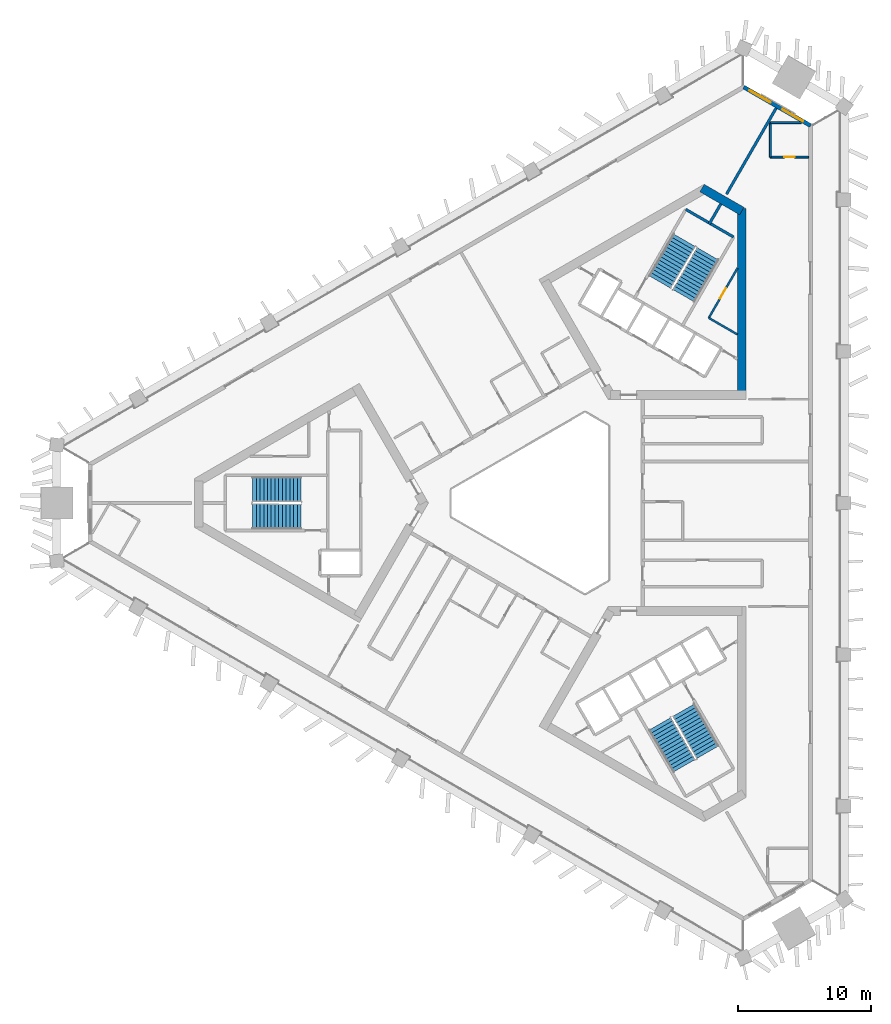
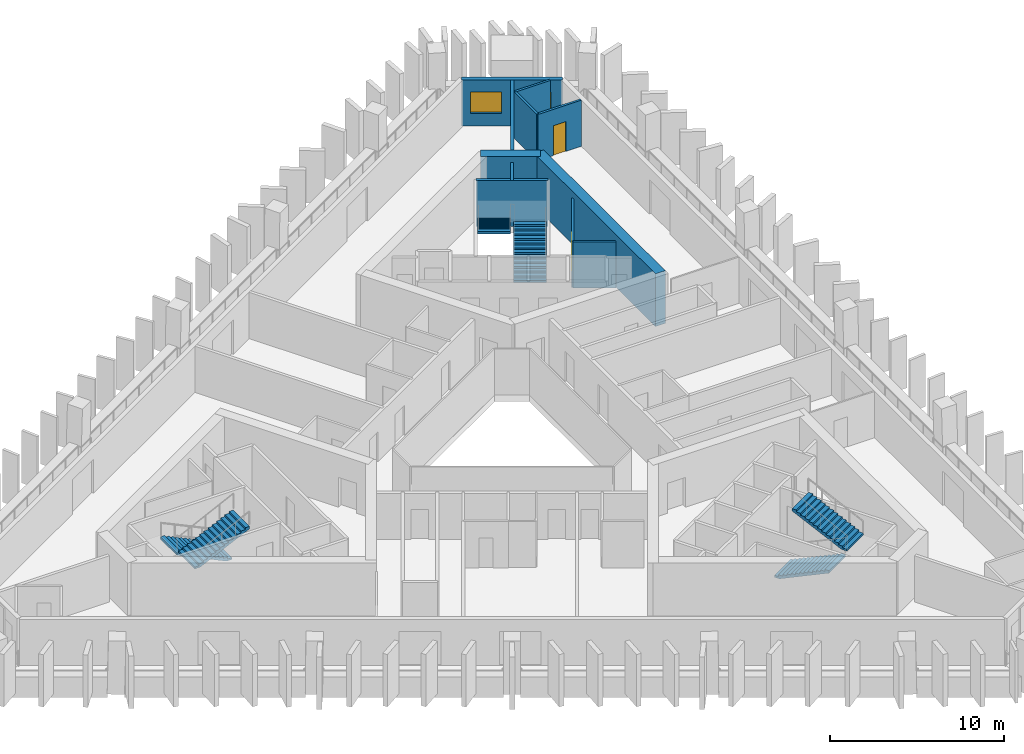
# One storey, part 6 of 10: 11 walls, 6 stair flights, 2 doors, 2 windows, 4 openings, 3 elements without a shape of their own.
"""IFC4 building model written with IfcOpenShell, lengths in metres."""

from ifc_helpers import new_model, si_unit, direction, frame, frame_2d, origin, place, context, subcontext, project, spatial, polyline, rectangle, outline, extrude, material, layer, layer_set, type_object, element, fill, aggregate, save


model = new_model("IFC4")

# Units and contexts
model_context = context("Model", 3, precision=1e-05, world=origin(), true_north=direction((0.0, 1.0)))
body_context = subcontext(model_context, "Body", "Model", "MODEL_VIEW")
ifc_project = project(units=[si_unit("LENGTHUNIT", "METRE"), si_unit("AREAUNIT", "SQUARE_METRE"), si_unit("VOLUMEUNIT", "CUBIC_METRE"), si_unit("PLANEANGLEUNIT", "RADIAN"), si_unit("MASSUNIT", "GRAM", prefix="KILO")], contexts=[model_context])

# Site, building, storey
site_placement = place(None, origin())
site = spatial("IfcSite", under=ifc_project, at=site_placement, CompositionType="ELEMENT")
building_placement = place(site_placement, origin())
building = spatial("IfcBuilding", under=site, at=building_placement, Name="Jabali Bay Hotel Tower and Convention Centre", CompositionType="ELEMENT")
storey_placement = place(building_placement, frame((0.0, 0.0, 117.89990234375)))
storey = spatial("IfcBuildingStorey", under=building, at=storey_placement, Name="L28", CompositionType="ELEMENT", Elevation=117.89990234375)

# Wall
ifc_material_1 = material(Name="Concrete C40", Category="concrete")
ifc_layer_1 = layer(ifc_material_1, 0.199951171875)
ifc_layer_set_1 = layer_set([ifc_layer_1], Name="Concrete C40")
wall_type_1 = type_object("IfcWallType", Name="Core partition wall 200", PredefinedType="PARTITIONING", material=ifc_layer_set_1)
wall_1_placement = place(storey_placement, frame((87.090087890625, 100.9404296875, 0.0), z_axis=(0.0, 0.0, 1.0), x_axis=(0.499944938281, 0.866057191349, 0.0)))
element("IfcWall", 1, at=wall_1_placement, inside=storey, type_object=wall_type_1, Name="Core wall 1.5 L28", PredefinedType="PARTITIONING", context=body_context, shape_type="SweptSolid", body=[
    extrude(rectangle(XDim=1.773193359375, YDim=0.199951171875, at=frame_2d((0.88671875, 0.0))), origin(), (0.0, 0.0, 1.0), 3.25),
])

# Wall, opening, door
ifc_material_2 = material(Name="Fire-rated board partition")
ifc_layer_2 = layer(ifc_material_2, 0.14990234375)
ifc_layer_set_2 = layer_set([ifc_layer_2], Name="Fire-rated board partition")
wall_type_2 = type_object("IfcWallType", Name="Core room partition 150", PredefinedType="PARTITIONING", material=ifc_layer_set_2)
wall_2_placement = place(storey_placement, frame((87.071044921875, 93.90771484375, 0.0), z_axis=(0.0, 0.0, 1.0), x_axis=(0.500012861172, 0.866017978256, 0.0)))
wall_2 = element("IfcWall", 2, at=wall_2_placement, inside=storey, type_object=wall_type_2, Name="Core wall 1.1 L28", PredefinedType="PARTITIONING", context=body_context, shape_type="SweptSolid", body=[
    extrude(rectangle(XDim=4.31787109375, YDim=0.14990234375, at=frame_2d((2.158935546875, 0.0))), origin(), (0.0, 0.0, 1.0), 3.25),
])
opening_1_placement = place(wall_2_placement, frame((1.681396484375, 0.0, 0.0)))
opening_1 = element("IfcOpeningElement", 3, at=opening_1_placement, cuts=wall_2, Name="Opening D633", PredefinedType="OPENING", context=body_context, shape_type="SweptSolid", body=[
    extrude(rectangle(XDim=0.89990234375, YDim=2.10009765625, at=frame_2d((0.449951171875, 1.050048828125))), frame((0.0, 0.08544921875, 0.0), z_axis=(0.0, -1.0, 0.0), x_axis=(1.0, 0.0, 0.0)), (0.0, 0.0, 1.0), 0.1708984375),
])
ifc_material_3 = material(Name="Fire-rated steel door", Category="steel")
door_type_1 = type_object("IfcDoorType", Name="Core room door 900 x 2100", OperationType="NOTDEFINED", PredefinedType="NOTDEFINED", material=ifc_material_3)
door_1_placement = place(opening_1_placement, origin())
door_1 = element("IfcDoor", 4, at=door_1_placement, inside=storey, type_object=door_type_1, Name="Core room door D633", OperationType="SINGLE_SWING_LEFT", OverallHeight=2.10009765625, OverallWidth=0.89990234375, PredefinedType="NOTDEFINED", context=body_context, shape_type="SweptSolid", body=[
    extrude(rectangle(XDim=0.89990234375, YDim=2.10009765625, at=frame_2d((0.449951171875, 1.050048828125))), frame((0.0, 0.02490234375, 0.0), z_axis=(0.0, -1.0, 0.0), x_axis=(1.0, 0.0, 0.0)), (0.0, 0.0, 1.0), 0.050048828125),
])
fill(opening_1, door_1)

# Walls
wall_3_placement = place(storey_placement, frame((89.22998046875, 92.661376953125, 0.0), z_axis=(0.0, 0.0, 1.0), x_axis=(-0.866046964233, 0.499962654349, 0.0)))
element("IfcWall", 5, at=wall_3_placement, inside=storey, type_object=wall_type_2, Name="Core wall 1.15 L28", PredefinedType="PARTITIONING", context=body_context, shape_type="SweptSolid", body=[
    extrude(rectangle(XDim=2.492919921875, YDim=0.14990234375, at=frame_2d((1.24658203125, 0.0))), origin(), (0.0, 0.0, 1.0), 3.25),
])
ifc_layer_3 = layer(ifc_material_1, 0.199951171875)
ifc_layer_set_3 = layer_set([ifc_layer_3], Name="Concrete C40")
wall_type_3 = type_object("IfcWallType", Name="Core stair wall 200", PredefinedType="SOLIDWALL", material=ifc_layer_set_3)
wall_4_placement = place(storey_placement, frame((88.93701171875, 99.989501953125, 0.0), z_axis=(0.0, 0.0, 1.0), x_axis=(-0.866004344652, 0.500036473714, 0.0)))
element("IfcWall", 6, at=wall_4_placement, inside=storey, type_object=wall_type_3, Name="Core wall 1.16 L28", PredefinedType="SOLIDWALL", context=body_context, shape_type="SweptSolid", body=[
    extrude(rectangle(XDim=4.150146484375, YDim=0.199951171875, at=frame_2d((2.0751953125, 0.0))), origin(), (0.0, 0.0, 1.0), 3.25),
])
ifc_material_4 = material(Name="Concrete C60", Category="concrete")
ifc_layer_4 = layer(ifc_material_4, 0.64990234375)
ifc_layer_set_4 = layer_set([ifc_layer_4], Name="Concrete C60")
wall_type_4 = type_object("IfcWallType", Name="Core wall 650", PredefinedType="SHEAR", material=ifc_layer_set_4)
wall_5_placement = place(storey_placement, frame((89.554931640625, 88.119140625, 0.0), z_axis=(0.0, 0.0, 1.0), x_axis=(0.0, 1.0, 0.0)))
element("IfcWall", 7, at=wall_5_placement, inside=storey, type_object=wall_type_4, Name="Core wall 2.2 L28", PredefinedType="SHEAR", context=body_context, shape_type="SweptSolid", body=[
    extrude(rectangle(XDim=14.008544921875, YDim=0.64990234375, at=frame_2d((7.00439453125, 0.0))), origin(), (0.0, 0.0, 1.0), 3.7001953125),
])
wall_6_placement = place(storey_placement, frame((89.554931640625, 101.93994140625, 0.0), z_axis=(0.0, 0.0, 1.0), x_axis=(-0.866031550877, 0.499989352773, 0.0)))
element("IfcWall", 8, at=wall_6_placement, inside=storey, type_object=wall_type_4, Name="Core wall 2.3 L28", PredefinedType="SHEAR", context=body_context, shape_type="SweptSolid", body=[
    extrude(rectangle(XDim=3.45751953125, YDim=0.64990234375, at=frame_2d((1.728759765625, 0.0))), origin(), (0.0, 0.0, 1.0), 3.7001953125),
])

# Wall, openings, windows
ifc_layer_5 = layer(ifc_material_1, 0.300048828125)
ifc_layer_set_5 = layer_set([ifc_layer_5], Name="Concrete C40")
wall_type_5 = type_object("IfcWallType", Name="External wall 300", PredefinedType="SOLIDWALL", material=ifc_layer_set_5)
wall_7_placement = place(storey_placement, frame((89.698974609375, 111.263427734375, 0.0), z_axis=(0.0, 0.0, 1.0), x_axis=(0.866016065929, -0.50001617329, 0.0)))
wall_7 = element("IfcWall", 9, at=wall_7_placement, inside=storey, type_object=wall_type_5, Name="External wall north-east chamfer L28", PredefinedType="SOLIDWALL", context=body_context, shape_type="SweptSolid", body=[
    extrude(rectangle(XDim=5.803955078125, YDim=0.300048828125, at=frame_2d((2.90185546875, 0.0))), origin(), (0.0, 0.0, 1.0), 3.25),
])
opening_2_placement = place(wall_7_placement, frame((3.350830078125, 0.0, 0.89990234375)))
opening_2 = element("IfcOpeningElement", 10, at=opening_2_placement, cuts=wall_7, Name="Opening W1", PredefinedType="OPENING", context=body_context, shape_type="SweptSolid", body=[
    extrude(rectangle(XDim=1.800048828125, YDim=1.5, at=frame_2d((0.89990234375, 0.75))), frame((0.0, 0.16064453125, 0.0), z_axis=(0.0, -1.0, 0.0), x_axis=(1.0, 0.0, 0.0)), (0.0, 0.0, 1.0), 0.321044921875),
])
opening_3_placement = place(wall_7_placement, frame((0.50830078125, 0.0, 0.89990234375)))
opening_3 = element("IfcOpeningElement", 11, at=opening_3_placement, cuts=wall_7, Name="Opening W1", PredefinedType="OPENING", context=body_context, shape_type="SweptSolid", body=[
    extrude(rectangle(XDim=1.800048828125, YDim=1.5, at=frame_2d((0.89990234375, 0.75))), frame((0.0, 0.16064453125, 0.0), z_axis=(0.0, -1.0, 0.0), x_axis=(1.0, 0.0, 0.0)), (0.0, 0.0, 1.0), 0.321044921875),
])
ifc_material_5 = material(Name="Glass", Category="glass")
window_type = type_object("IfcWindowType", Name="Window 1800 x 1500", PartitioningType="SINGLE_PANEL", PredefinedType="WINDOW", material=ifc_material_5)
window_1_placement = place(opening_2_placement, origin())
window_1 = element("IfcWindow", 12, at=window_1_placement, inside=storey, type_object=window_type, Name="Window 2804", OverallHeight=1.5, OverallWidth=1.800048828125, PartitioningType="SINGLE_PANEL", PredefinedType="WINDOW", context=body_context, shape_type="SweptSolid", body=[
    extrude(rectangle(XDim=1.800048828125, YDim=1.5, at=frame_2d((0.89990234375, 0.75))), frame((0.0, 0.030029296875, 0.0), z_axis=(0.0, -1.0, 0.0), x_axis=(1.0, 0.0, 0.0)), (0.0, 0.0, 1.0), 0.06005859375),
])
fill(opening_2, window_1)
window_2_placement = place(opening_3_placement, origin())
window_2 = element("IfcWindow", 13, at=window_2_placement, inside=storey, type_object=window_type, Name="Window 2806", OverallHeight=1.5, OverallWidth=1.800048828125, PartitioningType="SINGLE_PANEL", PredefinedType="WINDOW", context=body_context, shape_type="SweptSolid", body=[
    extrude(rectangle(XDim=1.800048828125, YDim=1.5, at=frame_2d((0.89990234375, 0.75))), frame((0.0, 0.030029296875, 0.0), z_axis=(0.0, -1.0, 0.0), x_axis=(1.0, 0.0, 0.0)), (0.0, 0.0, 1.0), 0.06005859375),
])
fill(opening_3, window_2)

# Wall, opening, door
ifc_material_6 = material(Name="Plasterboard on steel stud", Category="steel")
ifc_layer_6 = layer(ifc_material_6, 0.14990234375)
ifc_layer_set_6 = layer_set([ifc_layer_6], Name="Plasterboard on steel stud")
wall_type_6 = type_object("IfcWallType", Name="Partition 150 wet", PredefinedType="PARTITIONING", material=ifc_layer_set_6)
wall_8_placement = place(storey_placement, frame((94.576416015625, 105.994140625, 0.0), z_axis=(0.0, 0.0, 1.0), x_axis=(-1.0, 0.0, 0.0)))
wall_8 = element("IfcWall", 14, at=wall_8_placement, inside=storey, type_object=wall_type_6, Name="Partition P03 L28 018", PredefinedType="PARTITIONING", context=body_context, shape_type="SweptSolid", body=[
    extrude(rectangle(XDim=2.874755859375, YDim=0.14990234375, at=frame_2d((1.4375, 0.0))), origin(), (0.0, 0.0, 1.0), 3.25),
])
opening_4_placement = place(wall_8_placement, frame((1.037109375, 0.0, 0.0)))
opening_4 = element("IfcOpeningElement", 15, at=opening_4_placement, cuts=wall_8, Name="Opening 2809", PredefinedType="OPENING", context=body_context, shape_type="SweptSolid", body=[
    extrude(rectangle(XDim=0.800048828125, YDim=2.10009765625, at=frame_2d((0.39990234375, 1.050048828125))), frame((0.0, 0.08544921875, 0.0), z_axis=(0.0, -1.0, 0.0), x_axis=(1.0, 0.0, 0.0)), (0.0, 0.0, 1.0), 0.1708984375),
])
ifc_material_7 = material(Name="Timber", Category="wood")
door_type_2 = type_object("IfcDoorType", Name="En-suite door 800 x 2100", OperationType="NOTDEFINED", PredefinedType="NOTDEFINED", material=ifc_material_7)
door_2_placement = place(opening_4_placement, origin())
door_2 = element("IfcDoor", 16, at=door_2_placement, inside=storey, type_object=door_type_2, Name="Door 2809", OperationType="SINGLE_SWING_RIGHT", OverallHeight=2.10009765625, OverallWidth=0.800048828125, PredefinedType="NOTDEFINED", context=body_context, shape_type="SweptSolid", body=[
    extrude(rectangle(XDim=0.800048828125, YDim=2.10009765625, at=frame_2d((0.39990234375, 1.050048828125))), frame((0.0, 0.02490234375, 0.0), z_axis=(0.0, -1.0, 0.0), x_axis=(1.0, 0.0, 0.0)), (0.0, 0.0, 1.0), 0.050048828125),
])
fill(opening_4, door_2)

# Walls
wall_9_placement = place(storey_placement, frame((91.70166015625, 105.994140625, 0.0), z_axis=(0.0, 0.0, 1.0), x_axis=(0.0, 1.0, 0.0)))
element("IfcWall", 17, at=wall_9_placement, inside=storey, type_object=wall_type_6, Name="Partition P03 L28 019", PredefinedType="PARTITIONING", context=body_context, shape_type="SweptSolid", body=[
    extrude(rectangle(XDim=2.60009765625, YDim=0.14990234375, at=frame_2d((1.300048828125, 0.0))), origin(), (0.0, 0.0, 1.0), 3.25),
])
wall_10_placement = place(storey_placement, frame((91.70166015625, 108.59423828125, 0.0), z_axis=(0.0, 0.0, 1.0), x_axis=(1.0, 0.0, 0.0)))
element("IfcWall", 18, at=wall_10_placement, inside=storey, type_object=wall_type_6, Name="Partition P03 L28 020", PredefinedType="PARTITIONING", context=body_context, shape_type="SweptSolid", body=[
    extrude(rectangle(XDim=2.322509765625, YDim=0.14990234375, at=frame_2d((1.1611328125, 0.0))), origin(), (0.0, 0.0, 1.0), 3.25),
])
ifc_layer_7 = layer(ifc_material_6, 0.199951171875)
ifc_layer_set_7 = layer_set([ifc_layer_7], Name="Plasterboard on steel stud")
wall_type_7 = type_object("IfcWallType", Name="Partition 200 party", PredefinedType="PARTITIONING", material=ifc_layer_set_7)
wall_11_placement = place(storey_placement, frame((92.138671875, 109.682861328125, 0.0), z_axis=(0.0, 0.0, 1.0), x_axis=(-0.500010887197, -0.866019117967, 0.0)))
element("IfcWall", 19, at=wall_11_placement, inside=storey, type_object=wall_type_7, Name="Partition P01 L28 021", PredefinedType="PARTITIONING", context=body_context, shape_type="SweptSolid", body=[
    extrude(rectangle(XDim=7.473388671875, YDim=0.199951171875, at=frame_2d((3.73681640625, 0.0))), origin(), (0.0, 0.0, 1.0), 3.25),
])

# Stair, stair flights
stair_type = type_object("IfcStairType", Name="Exit stair 1900", PredefinedType="HALF_TURN_STAIR", material=ifc_material_1)
stair_1_placement = place(storey_placement, origin())
stair_1 = element("IfcStair", 20, at=stair_1_placement, inside=storey, type_object=stair_type, Name="L28 Exit Stair 1", PredefinedType="HALF_TURN_STAIR")
stair_flight_type = type_object("IfcStairFlightType", Name="Stair flight concrete 150", PredefinedType="STRAIGHT", material=ifc_material_1)
stair_flight_1_placement = place(storey_placement, frame((56.419921875, 81.02490234375, 0.0), z_axis=(0.0, 0.0, 1.0), x_axis=(-1.0, 0.0, 0.0)))
stair_flight_1 = element("IfcStairFlight", 21, at=stair_flight_1_placement, type_object=stair_flight_type, Name="ST1 flight 1", NumberOfRisers=14, NumberOfTreads=13, PredefinedType="STRAIGHT", RiserHeight=0.132142857, TreadLength=0.28, context=body_context, shape_type="SweptSolid", body=[
    extrude(outline(polyline([(0.0, 0.0), (0.0, 0.132080078125), (0.280029296875, 0.132080078125), (0.280029296875, 0.264404296875), (0.56005859375, 0.264404296875), (0.56005859375, 0.396484375), (0.840087890625, 0.396484375), (0.840087890625, 0.528564453125), (1.1201171875, 0.528564453125), (1.1201171875, 0.66064453125), (1.39990234375, 0.66064453125), (1.39990234375, 0.79296875), (1.679931640625, 0.79296875), (1.679931640625, 0.925048828125), (1.9599609375, 0.925048828125), (1.9599609375, 1.05712890625), (2.239990234375, 1.05712890625), (2.239990234375, 1.189208984375), (2.52001953125, 1.189208984375), (2.52001953125, 1.321533203125), (2.800048828125, 1.321533203125), (2.800048828125, 1.45361328125), (3.080078125, 1.45361328125), (3.080078125, 1.585693359375), (3.360107421875, 1.585693359375), (3.360107421875, 1.7177734375), (3.639892578125, 1.7177734375), (3.639892578125, 1.85009765625), (3.639892578125, 1.552001953125), (0.351318359375, 0.0), (0.0, 0.0)])), frame((0.0, 0.949951171875, 0.0), z_axis=(0.0, -1.0, 0.0), x_axis=(1.0, 0.0, 0.0)), (0.0, 0.0, 1.0), 1.89990234375),
])
stair_flight_2_placement = place(storey_placement, frame((52.780029296875, 78.97509765625, 1.85009765625), z_axis=(0.0, 0.0, 1.0), x_axis=(1.0, 0.0, 0.0)))
stair_flight_2 = element("IfcStairFlight", 22, at=stair_flight_2_placement, type_object=stair_flight_type, Name="ST1 flight 2", NumberOfRisers=14, NumberOfTreads=13, PredefinedType="STRAIGHT", RiserHeight=0.132142857, TreadLength=0.28, context=body_context, shape_type="SweptSolid", body=[
    extrude(outline(polyline([(0.0, 0.0), (0.0, 0.132080078125), (0.280029296875, 0.132080078125), (0.280029296875, 0.264404296875), (0.56005859375, 0.264404296875), (0.56005859375, 0.396484375), (0.840087890625, 0.396484375), (0.840087890625, 0.528564453125), (1.1201171875, 0.528564453125), (1.1201171875, 0.66064453125), (1.39990234375, 0.66064453125), (1.39990234375, 0.79296875), (1.679931640625, 0.79296875), (1.679931640625, 0.925048828125), (1.9599609375, 0.925048828125), (1.9599609375, 1.05712890625), (2.239990234375, 1.05712890625), (2.239990234375, 1.189208984375), (2.52001953125, 1.189208984375), (2.52001953125, 1.321533203125), (2.800048828125, 1.321533203125), (2.800048828125, 1.45361328125), (3.080078125, 1.45361328125), (3.080078125, 1.585693359375), (3.360107421875, 1.585693359375), (3.360107421875, 1.7177734375), (3.639892578125, 1.7177734375), (3.639892578125, 1.85009765625), (3.639892578125, 1.552001953125), (0.351318359375, 0.0), (0.0, 0.0)])), frame((0.0, 0.949951171875, 0.0), z_axis=(0.0, -1.0, 0.0), x_axis=(1.0, 0.0, 0.0)), (0.0, 0.0, 1.0), 1.89990234375),
])
aggregate(stair_1, [stair_flight_1, stair_flight_2])

stair_2_placement = place(storey_placement, origin())
stair_2 = element("IfcStair", 23, at=stair_2_placement, inside=storey, type_object=stair_type, Name="L28 Exit Stair 2", PredefinedType="HALF_TURN_STAIR")
stair_flight_3_placement = place(storey_placement, frame((85.177734375, 95.578369140625, 0.0), z_axis=(0.0, 0.0, 1.0), x_axis=(0.5, 0.866025403784, 0.0)))
stair_flight_3 = element("IfcStairFlight", 24, at=stair_flight_3_placement, type_object=stair_flight_type, Name="ST2 flight 1", NumberOfRisers=14, NumberOfTreads=13, PredefinedType="STRAIGHT", RiserHeight=0.132142857, TreadLength=0.28, context=body_context, shape_type="SweptSolid", body=[
    extrude(outline(polyline([(0.0, 0.0), (0.0, 0.132080078125), (0.280029296875, 0.132080078125), (0.280029296875, 0.264404296875), (0.56005859375, 0.264404296875), (0.56005859375, 0.396484375), (0.840087890625, 0.396484375), (0.840087890625, 0.528564453125), (1.1201171875, 0.528564453125), (1.1201171875, 0.66064453125), (1.39990234375, 0.66064453125), (1.39990234375, 0.79296875), (1.679931640625, 0.79296875), (1.679931640625, 0.925048828125), (1.9599609375, 0.925048828125), (1.9599609375, 1.05712890625), (2.239990234375, 1.05712890625), (2.239990234375, 1.189208984375), (2.52001953125, 1.189208984375), (2.52001953125, 1.321533203125), (2.800048828125, 1.321533203125), (2.800048828125, 1.45361328125), (3.080078125, 1.45361328125), (3.080078125, 1.585693359375), (3.360107421875, 1.585693359375), (3.360107421875, 1.7177734375), (3.639892578125, 1.7177734375), (3.639892578125, 1.85009765625), (3.639892578125, 1.552001953125), (0.351318359375, 0.0), (0.0, 0.0)])), frame((0.0, 0.949951171875, 0.0), z_axis=(0.0, -1.0, 0.0), x_axis=(1.0, 0.0, 0.0)), (0.0, 0.0, 1.0), 1.89990234375),
])
stair_flight_4_placement = place(storey_placement, frame((85.222412109375, 99.755615234375, 1.85009765625), z_axis=(0.0, 0.0, 1.0), x_axis=(-0.5, -0.866025403784, 0.0)))
stair_flight_4 = element("IfcStairFlight", 25, at=stair_flight_4_placement, type_object=stair_flight_type, Name="ST2 flight 2", NumberOfRisers=14, NumberOfTreads=13, PredefinedType="STRAIGHT", RiserHeight=0.132142857, TreadLength=0.28, context=body_context, shape_type="SweptSolid", body=[
    extrude(outline(polyline([(0.0, 0.0), (0.0, 0.132080078125), (0.280029296875, 0.132080078125), (0.280029296875, 0.264404296875), (0.56005859375, 0.264404296875), (0.56005859375, 0.396484375), (0.840087890625, 0.396484375), (0.840087890625, 0.528564453125), (1.1201171875, 0.528564453125), (1.1201171875, 0.66064453125), (1.39990234375, 0.66064453125), (1.39990234375, 0.79296875), (1.679931640625, 0.79296875), (1.679931640625, 0.925048828125), (1.9599609375, 0.925048828125), (1.9599609375, 1.05712890625), (2.239990234375, 1.05712890625), (2.239990234375, 1.189208984375), (2.52001953125, 1.189208984375), (2.52001953125, 1.321533203125), (2.800048828125, 1.321533203125), (2.800048828125, 1.45361328125), (3.080078125, 1.45361328125), (3.080078125, 1.585693359375), (3.360107421875, 1.585693359375), (3.360107421875, 1.7177734375), (3.639892578125, 1.7177734375), (3.639892578125, 1.85009765625), (3.639892578125, 1.552001953125), (0.351318359375, 0.0), (0.0, 0.0)])), frame((0.0, 0.949951171875, 0.0), z_axis=(0.0, -1.0, 0.0), x_axis=(1.0, 0.0, 0.0)), (0.0, 0.0, 1.0), 1.89990234375),
])
aggregate(stair_2, [stair_flight_3, stair_flight_4])

stair_3_placement = place(storey_placement, origin())
stair_3 = element("IfcStair", 26, at=stair_3_placement, inside=storey, type_object=stair_type, Name="L28 Exit Stair 3", PredefinedType="HALF_TURN_STAIR")
stair_flight_5_placement = place(storey_placement, frame((83.40234375, 63.396728515625, 0.0), z_axis=(0.0, 0.0, 1.0), x_axis=(0.5, -0.866025403784, 0.0)))
stair_flight_5 = element("IfcStairFlight", 27, at=stair_flight_5_placement, type_object=stair_flight_type, Name="ST3 flight 1", NumberOfRisers=14, NumberOfTreads=13, PredefinedType="STRAIGHT", RiserHeight=0.132142857, TreadLength=0.28, context=body_context, shape_type="SweptSolid", body=[
    extrude(outline(polyline([(0.0, 0.0), (0.0, 0.132080078125), (0.280029296875, 0.132080078125), (0.280029296875, 0.264404296875), (0.56005859375, 0.264404296875), (0.56005859375, 0.396484375), (0.840087890625, 0.396484375), (0.840087890625, 0.528564453125), (1.1201171875, 0.528564453125), (1.1201171875, 0.66064453125), (1.39990234375, 0.66064453125), (1.39990234375, 0.79296875), (1.679931640625, 0.79296875), (1.679931640625, 0.925048828125), (1.9599609375, 0.925048828125), (1.9599609375, 1.05712890625), (2.239990234375, 1.05712890625), (2.239990234375, 1.189208984375), (2.52001953125, 1.189208984375), (2.52001953125, 1.321533203125), (2.800048828125, 1.321533203125), (2.800048828125, 1.45361328125), (3.080078125, 1.45361328125), (3.080078125, 1.585693359375), (3.360107421875, 1.585693359375), (3.360107421875, 1.7177734375), (3.639892578125, 1.7177734375), (3.639892578125, 1.85009765625), (3.639892578125, 1.552001953125), (0.351318359375, 0.0), (0.0, 0.0)])), frame((0.0, 0.949951171875, 0.0), z_axis=(0.0, -1.0, 0.0), x_axis=(1.0, 0.0, 0.0)), (0.0, 0.0, 1.0), 1.89990234375),
])
stair_flight_6_placement = place(storey_placement, frame((86.99755859375, 61.26953125, 1.85009765625), z_axis=(0.0, 0.0, 1.0), x_axis=(-0.5, 0.866025403784, 0.0)))
stair_flight_6 = element("IfcStairFlight", 28, at=stair_flight_6_placement, type_object=stair_flight_type, Name="ST3 flight 2", NumberOfRisers=14, NumberOfTreads=13, PredefinedType="STRAIGHT", RiserHeight=0.132142857, TreadLength=0.28, context=body_context, shape_type="SweptSolid", body=[
    extrude(outline(polyline([(0.0, 0.0), (0.0, 0.132080078125), (0.280029296875, 0.132080078125), (0.280029296875, 0.264404296875), (0.56005859375, 0.264404296875), (0.56005859375, 0.396484375), (0.840087890625, 0.396484375), (0.840087890625, 0.528564453125), (1.1201171875, 0.528564453125), (1.1201171875, 0.66064453125), (1.39990234375, 0.66064453125), (1.39990234375, 0.79296875), (1.679931640625, 0.79296875), (1.679931640625, 0.925048828125), (1.9599609375, 0.925048828125), (1.9599609375, 1.05712890625), (2.239990234375, 1.05712890625), (2.239990234375, 1.189208984375), (2.52001953125, 1.189208984375), (2.52001953125, 1.321533203125), (2.800048828125, 1.321533203125), (2.800048828125, 1.45361328125), (3.080078125, 1.45361328125), (3.080078125, 1.585693359375), (3.360107421875, 1.585693359375), (3.360107421875, 1.7177734375), (3.639892578125, 1.7177734375), (3.639892578125, 1.85009765625), (3.639892578125, 1.552001953125), (0.351318359375, 0.0), (0.0, 0.0)])), frame((0.0, 0.949951171875, 0.0), z_axis=(0.0, -1.0, 0.0), x_axis=(1.0, 0.0, 0.0)), (0.0, 0.0, 1.0), 1.89990234375),
])
aggregate(stair_3, [stair_flight_5, stair_flight_6])

save(model, "model.ifc")
